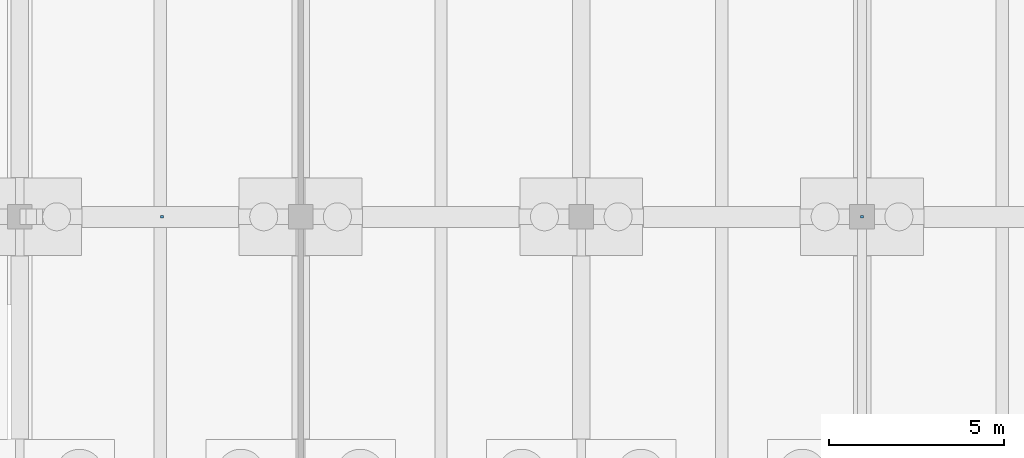
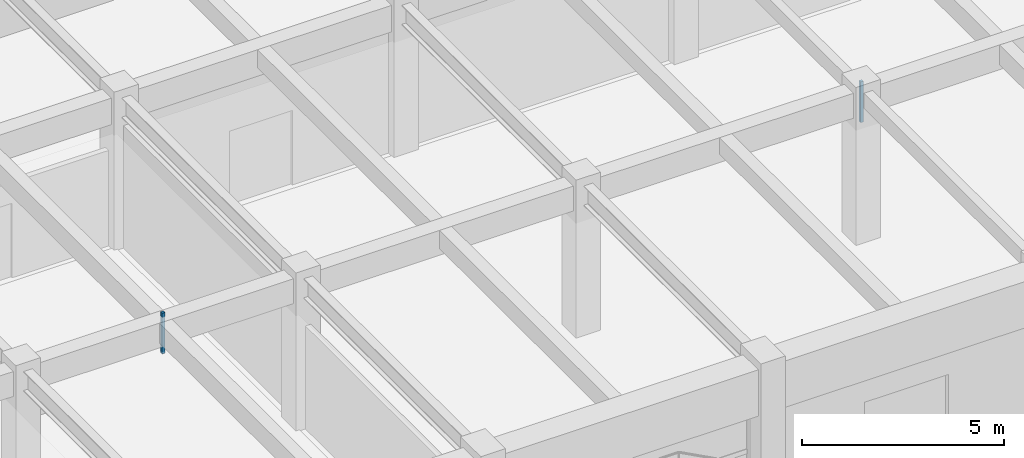
# One storey, part 125 of 147: 2 discrete accessories.
"""IFC4 building model written with IfcOpenShell, lengths in metres."""

from ifc_helpers import new_model, si_unit, direction, frame, origin, origin_2d, place, context, subcontext, project, spatial, rectangle, extrude, material, layer, layer_set, type_object, element, save


model = new_model("IFC4")

# Units and contexts
model_context = context("Model", 3, precision=1e-05, world=origin(), true_north=direction((0.0, 1.0)))
body_context = subcontext(model_context, "Body", "Model", "MODEL_VIEW")
ifc_project = project(units=[si_unit("LENGTHUNIT", "METRE"), si_unit("AREAUNIT", "SQUARE_METRE"), si_unit("VOLUMEUNIT", "CUBIC_METRE"), si_unit("PLANEANGLEUNIT", "RADIAN"), si_unit("MASSUNIT", "GRAM", prefix="KILO")], contexts=[model_context])

# Site, building, storey
site_placement = place(None, origin())
site = spatial("IfcSite", under=ifc_project, at=site_placement, CompositionType="ELEMENT")
building_placement = place(site_placement, origin())
building = spatial("IfcBuilding", under=site, at=building_placement, Name="Varnabhumi Central Station", CompositionType="ELEMENT")
storey_placement = place(building_placement, origin())
storey = spatial("IfcBuildingStorey", under=building, at=storey_placement, Name="L00", CompositionType="ELEMENT", Elevation=0.0)

# Discrete accessories
ifc_material = material(Name="Structural steel E350", Category="steel")
ifc_layer = layer(ifc_material, 0.159912109375, Name="Structural steel E350", Category="steel")
ifc_layer_set = layer_set([ifc_layer], Name="Structural steel E350")
discrete_accessory_type = type_object("IfcDiscreteAccessoryType", Name="ACC-SHADE-BRKT", PredefinedType="BRACKET", material=ifc_layer_set)
for number, where, z_axis, x_axis, name in (
    (1, (124.050048828125, 89.0, 3.43994140625), (0.0, 0.0, 1.0), (1.0, 0.0, 0.0), "Forecourt Espresso and Snack Bar Ceiling Hanger"),
    (2, (144.0, 89.0, 3.43994140625), (0.0, 0.0, 1.0), (1.0, 0.0, 0.0), "Passenger Information and Community Desk Ceiling Hanger"),
):
    element("IfcDiscreteAccessory", number, at=place(storey_placement, frame(where, z_axis=z_axis, x_axis=x_axis)), inside=storey, type_object=discrete_accessory_type, Name=name, PredefinedType="BRACKET", context=body_context, shape_type="SweptSolid", body=[
        extrude(rectangle(XDim=0.080078125, YDim=0.080078125, at=origin_2d()), origin(), (0.0, 0.0, 1.0), 1.22998046875),
    ])

save(model, "model.ifc")
